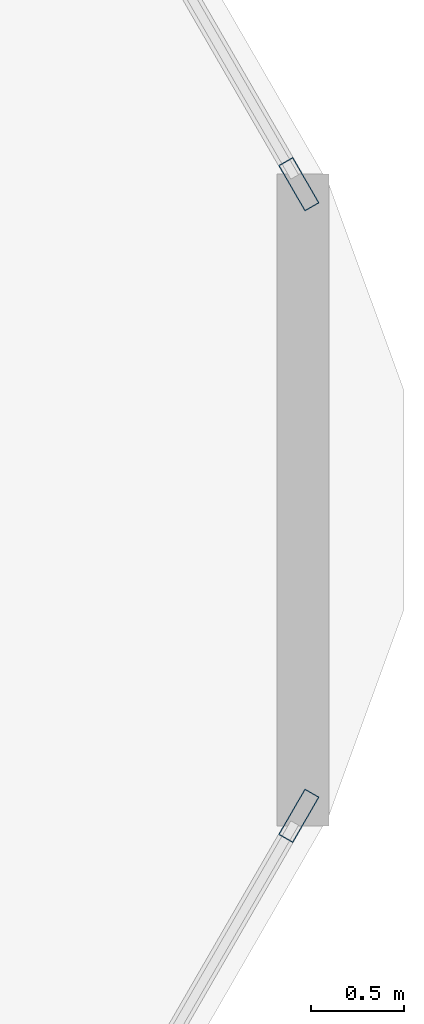
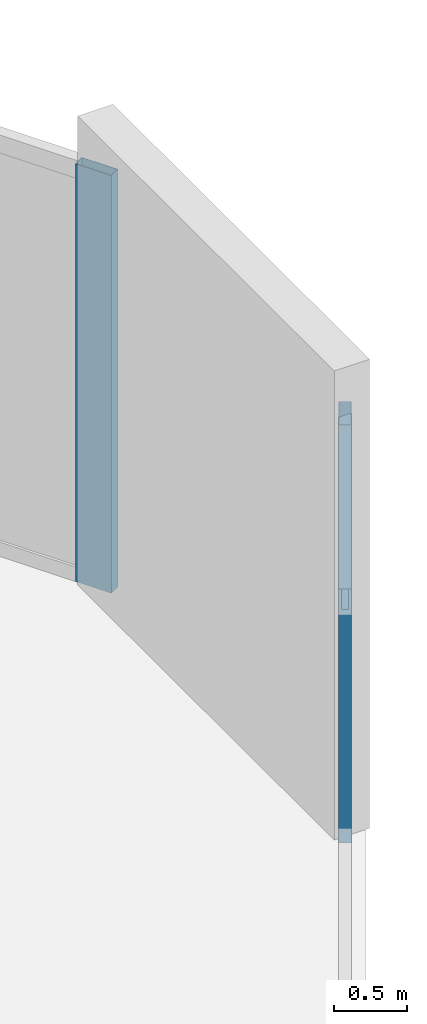
# One storey, part 20 of 25: 2 members, 2 elements without a shape of their own.
"""IFC4 building model written with IfcOpenShell, lengths in metres."""

from ifc_helpers import new_model, si_unit, direction, frame, origin, origin_2d, place, context, subcontext, project, spatial, hollow_rectangle, extrude, material, material_profile, profile_set, type_object, element, aggregate, save


model = new_model("IFC4")

# Units and contexts
model_context = context("Model", 3, precision=1e-05, world=origin(), true_north=direction((0.0, 1.0)))
body_context = subcontext(model_context, "Body", "Model", "MODEL_VIEW")
ifc_project = project(units=[si_unit("LENGTHUNIT", "METRE"), si_unit("AREAUNIT", "SQUARE_METRE"), si_unit("VOLUMEUNIT", "CUBIC_METRE"), si_unit("PLANEANGLEUNIT", "RADIAN"), si_unit("MASSUNIT", "GRAM", prefix="KILO")], contexts=[model_context])

# Site, building, storey
site_placement = place(None, origin())
site = spatial("IfcSite", under=ifc_project, at=site_placement, CompositionType="ELEMENT")
building_placement = place(site_placement, origin())
building = spatial("IfcBuilding", under=site, at=building_placement, Name="Zuhravey Tower", CompositionType="ELEMENT")
storey_placement = place(building_placement, frame((0.0, 0.0, 45.60009765625)))
storey = spatial("IfcBuildingStorey", under=building, at=storey_placement, Name="L11", CompositionType="ELEMENT", Elevation=45.60009765625)

# Curtain wall, member
ifc_material_1 = material(Name="Thermally broken anodised aluminium", Category="aluminium")
curtain_wall_type = type_object("IfcCurtainWallType", Name="School Low-E Unitised Curtain Wall CW1", PredefinedType="NOTDEFINED", material=ifc_material_1)
curtain_wall_1_placement = place(storey_placement, origin())
curtain_wall_1 = element("IfcCurtainWall", 1, at=curtain_wall_1_placement, inside=storey, type_object=curtain_wall_type, Name="L11 CW1 CW-L11-F6-1", PredefinedType="NOTDEFINED")
ifc_material_2 = material(Name="Anodised aluminium", Category="aluminium")
ifc_material_profile = material_profile(ifc_material_2, hollow_rectangle(XDim=0.090087890625, YDim=0.284912109375, WallThickness=0.0048828125, at=origin_2d()), Name="ALU-RHS-90x285x5")
ifc_profile_set = profile_set([ifc_material_profile], Name="Anodised aluminium")
member_type = type_object("IfcMemberType", Name="Curtain-Wall Mullion 90x180", PredefinedType="MULLION", material=ifc_profile_set)
member_1_placement = place(storey_placement, frame((68.4560546875, 30.298583984375, 0.0), z_axis=(0.0, 0.0, 1.0), x_axis=(0.86602552265, -0.499999794119, 0.0)))
member_1 = element("IfcMember", 2, at=member_1_placement, type_object=member_type, Name="CW1 mullion 1", PredefinedType="MULLION", context=body_context, shape_type="SweptSolid", body=[
    extrude(hollow_rectangle(XDim=0.090087890625, YDim=0.284912109375, WallThickness=0.0048828125, at=origin_2d()), origin(), (0.0, 0.0, 1.0), 3.491943359375),
])
aggregate(curtain_wall_1, [member_1])

curtain_wall_2_placement = place(storey_placement, origin())
curtain_wall_2 = element("IfcCurtainWall", 3, at=curtain_wall_2_placement, inside=storey, type_object=curtain_wall_type, Name="L11 CW1 CW-L11-F1-1", PredefinedType="NOTDEFINED")
member_2_placement = place(storey_placement, frame((68.4560546875, 33.701416015625, 0.0), z_axis=(0.0, 0.0, 1.0), x_axis=(0.86602552265, 0.499999794119, 0.0)))
member_2 = element("IfcMember", 4, at=member_2_placement, type_object=member_type, Name="CW1 mullion 4", PredefinedType="MULLION", context=body_context, shape_type="SweptSolid", body=[
    extrude(hollow_rectangle(XDim=0.090087890625, YDim=0.284912109375, WallThickness=0.0048828125, at=origin_2d()), origin(), (0.0, 0.0, 1.0), 3.491943359375),
])
aggregate(curtain_wall_2, [member_2])

save(model, "model.ifc")
